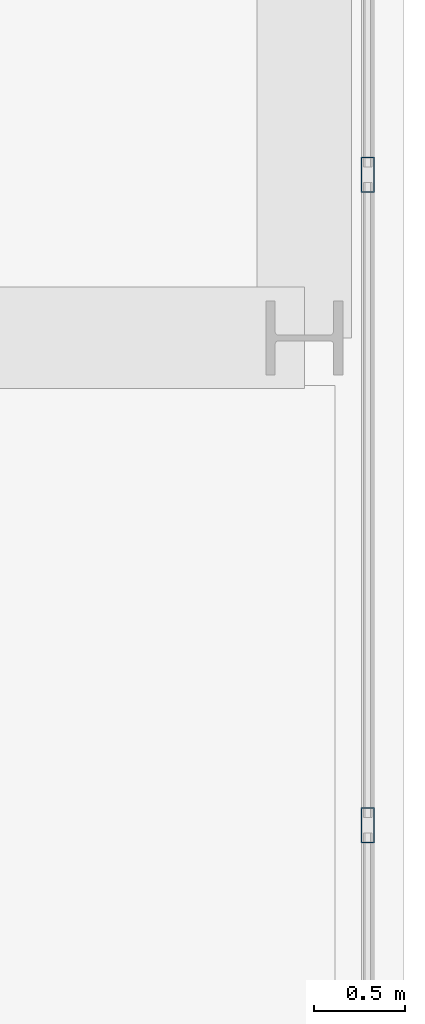
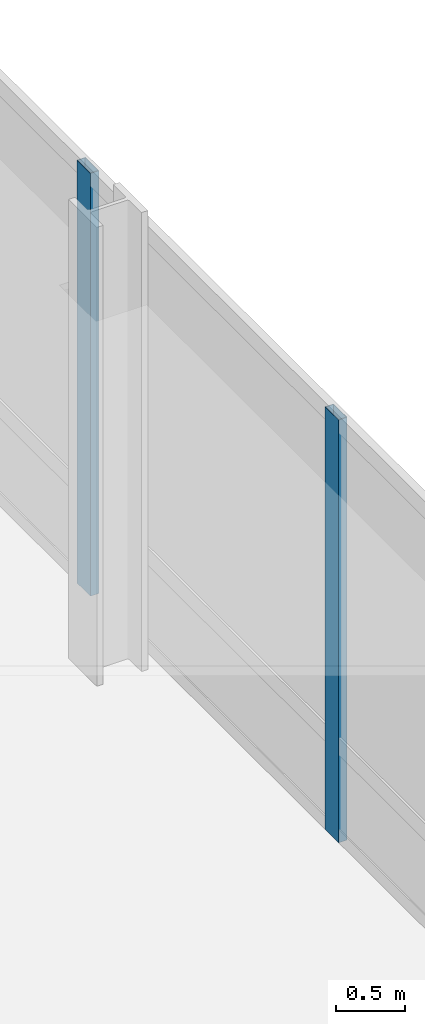
# One storey, part 18 of 35: 2 members, 1 element without a shape of its own.
"""IFC4 building model written with IfcOpenShell, lengths in metres."""

from ifc_helpers import new_model, si_unit, direction, frame, origin, origin_2d, place, context, subcontext, project, spatial, hollow_rectangle, extrude, material, material_profile, profile_set, type_object, element, aggregate, save


model = new_model("IFC4")

# Units and contexts
model_context = context("Model", 3, precision=1e-05, world=origin(), true_north=direction((0.0, 1.0)))
body_context = subcontext(model_context, "Body", "Model", "MODEL_VIEW")
ifc_project = project(units=[si_unit("LENGTHUNIT", "METRE"), si_unit("AREAUNIT", "SQUARE_METRE"), si_unit("VOLUMEUNIT", "CUBIC_METRE"), si_unit("PLANEANGLEUNIT", "RADIAN"), si_unit("MASSUNIT", "GRAM", prefix="KILO")], contexts=[model_context])

# Site, building, storey
site_placement = place(None, origin())
site = spatial("IfcSite", under=ifc_project, at=site_placement, CompositionType="ELEMENT")
building_placement = place(site_placement, origin())
building = spatial("IfcBuilding", under=site, at=building_placement, Name="Punatoya Terracotta Tower", CompositionType="ELEMENT")
storey_placement = place(building_placement, frame((0.0, 0.0, 232.949951171875)))
storey = spatial("IfcBuildingStorey", under=building, at=storey_placement, Name="L55", CompositionType="ELEMENT", Elevation=232.949951171875)

# Curtain wall, members
ifc_material_1 = material(Name="Aluminium 6063-T6 + Double Low-E Glass", Category="aluminium")
curtain_wall_type = type_object("IfcCurtainWallType", Name="CW-M2", PredefinedType="NOTDEFINED", material=ifc_material_1)
curtain_wall_placement = place(storey_placement, origin())
curtain_wall = element("IfcCurtainWall", 1, at=curtain_wall_placement, inside=storey, type_object=curtain_wall_type, Name="L55 Curtain Wall CW-L55-E04-1", PredefinedType="NOTDEFINED")
ifc_material_2 = material(Name="Aluminium 6063-T6", Category="aluminium")
ifc_material_profile = material_profile(ifc_material_2, hollow_rectangle(XDim=0.072021484375, YDim=0.195068359375, WallThickness=0.00439453125, at=origin_2d()))
ifc_profile_set = profile_set([ifc_material_profile], Name="Aluminium 6063-T6")
member_type = type_object("IfcMemberType", Name="CW-MUL-M2", PredefinedType="MULLION", material=ifc_profile_set)
member_1_placement = place(storey_placement, frame((24.85009765625, -6.087646484375, 0.0), z_axis=(0.0, 0.0, 1.0), x_axis=(1.0, 0.0, 0.0)))
member_1 = element("IfcMember", 2, at=member_1_placement, type_object=member_type, Name="CW-L55-E04-1 Mullion 03", PredefinedType="MULLION", context=body_context, shape_type="SweptSolid", body=[
    extrude(hollow_rectangle(XDim=0.072021484375, YDim=0.195068359375, WallThickness=0.00439453125, at=origin_2d()), origin(), (0.0, 0.0, 1.0), 3.72998046875),
])
member_2_placement = place(storey_placement, frame((24.85009765625, -2.500244140625, 0.0), z_axis=(0.0, 0.0, 1.0), x_axis=(1.0, 0.0, 0.0)))
member_2 = element("IfcMember", 3, at=member_2_placement, type_object=member_type, Name="CW-L55-E04-1 Mullion 04", PredefinedType="MULLION", context=body_context, shape_type="SweptSolid", body=[
    extrude(hollow_rectangle(XDim=0.072021484375, YDim=0.195068359375, WallThickness=0.00439453125, at=origin_2d()), origin(), (0.0, 0.0, 1.0), 3.72998046875),
])
aggregate(curtain_wall, [member_1, member_2])

save(model, "model.ifc")
